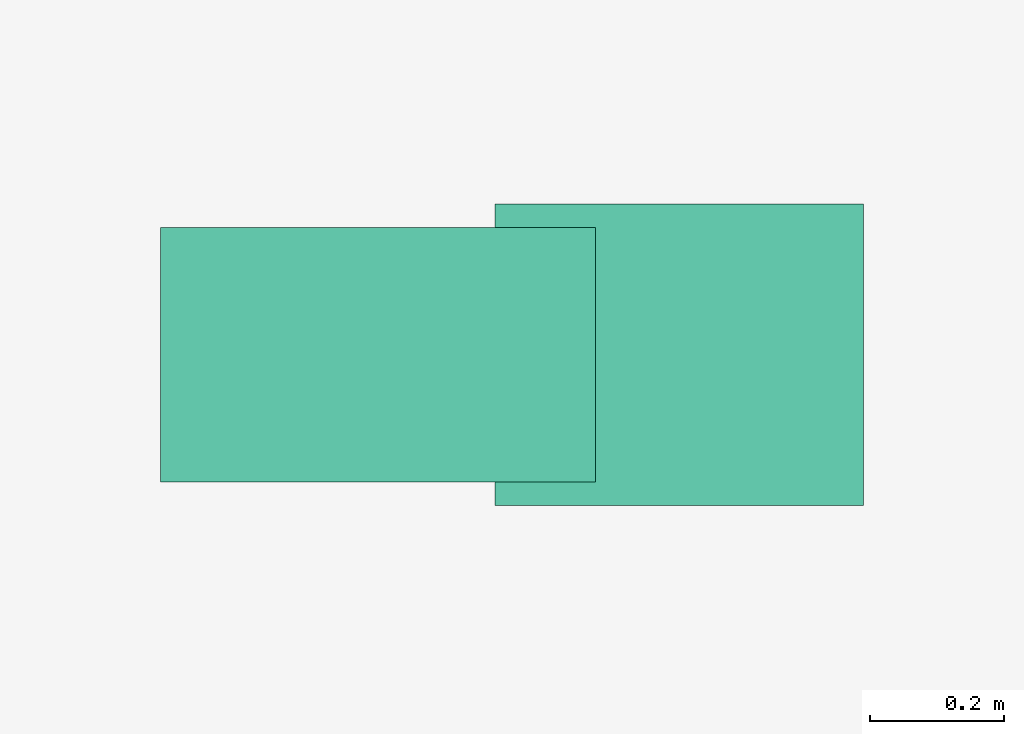
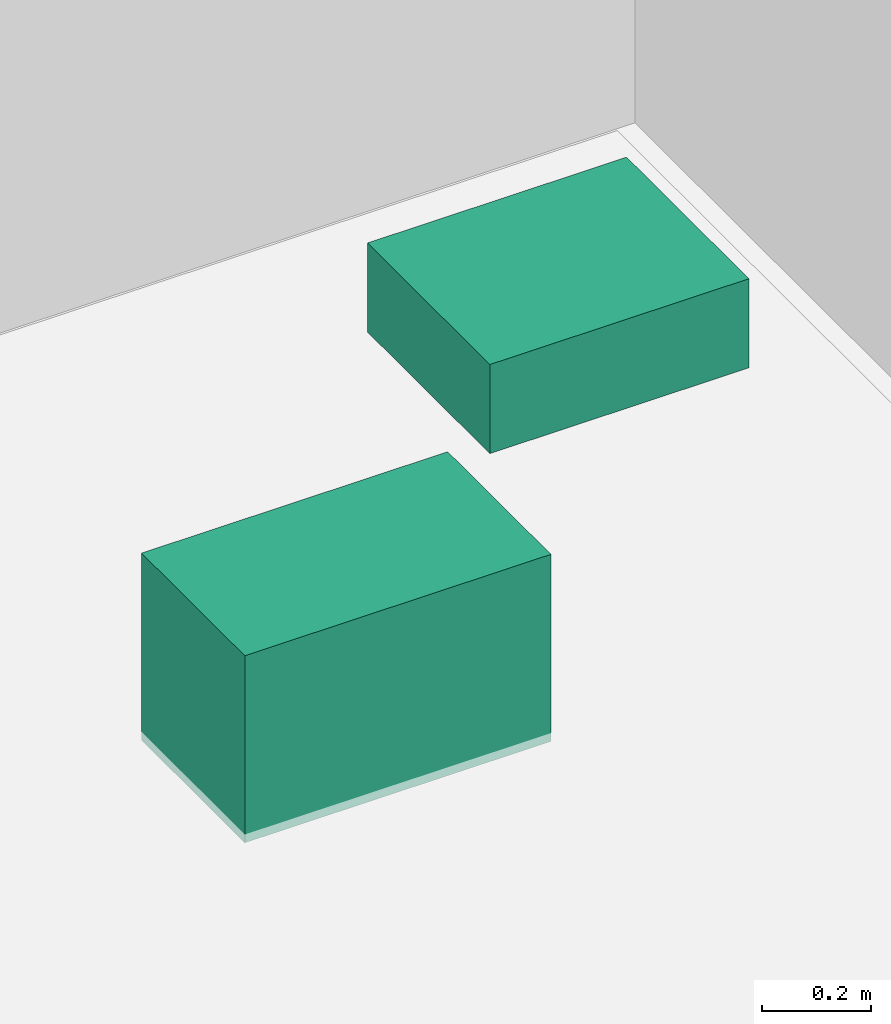
# One storey, part 11 of 12: 2 sanitary terminals.
"""IFC4 building model written with IfcOpenShell, lengths in metres."""

from ifc_helpers import new_model, si_unit, direction, frame, origin, origin_2d, place, context, subcontext, project, spatial, rectangle, extrude, material, type_object, element, save


model = new_model("IFC4")

# Units and contexts
model_context = context("Model", 3, precision=1e-05, world=origin(), true_north=direction((0.0, 1.0)))
body_context = subcontext(model_context, "Body", "Model", "MODEL_VIEW")
ifc_project = project(units=[si_unit("LENGTHUNIT", "METRE"), si_unit("AREAUNIT", "SQUARE_METRE"), si_unit("VOLUMEUNIT", "CUBIC_METRE"), si_unit("PLANEANGLEUNIT", "RADIAN"), si_unit("MASSUNIT", "GRAM", prefix="KILO")], contexts=[model_context])

# Site, building, storey
site_placement = place(None, origin())
site = spatial("IfcSite", under=ifc_project, at=site_placement, CompositionType="ELEMENT")
building_placement = place(site_placement, origin())
building = spatial("IfcBuilding", under=site, at=building_placement, Name="Savorim Split Tower", CompositionType="ELEMENT")
storey_placement = place(building_placement, frame((0.0, 0.0, -5.39990234375)))
storey = spatial("IfcBuildingStorey", under=building, at=storey_placement, Name="B01", CompositionType="ELEMENT", Elevation=-5.39990234375)

# Sanitary terminals
ifc_material = material(Name="Vitreous China Sanitaryware")
sanitary_terminal_type_1 = type_object("IfcSanitaryTerminalType", Name="SAN-WC-PAN", PredefinedType="TOILETPAN", material=ifc_material)
sanitary_terminal_1_placement = place(storey_placement, frame((-2.77490234375, -7.60009765625, 0.0), z_axis=(0.0, 0.0, 1.0), x_axis=(1.0, 0.0, 0.0)))
element("IfcSanitaryTerminal", 1, at=sanitary_terminal_1_placement, inside=storey, type_object=sanitary_terminal_type_1, Name="B01 Accessible WC WC Pan", PredefinedType="TOILETPAN", context=body_context, shape_type="SweptSolid", body=[
    extrude(rectangle(XDim=0.64990234375, YDim=0.3798828125, at=origin_2d()), origin(), (0.0, 0.0, 1.0), 0.419921875),
])
sanitary_terminal_type_2 = type_object("IfcSanitaryTerminalType", Name="SAN-WHB-550", PredefinedType="WASHHANDBASIN", material=ifc_material)
sanitary_terminal_2_placement = place(storey_placement, frame((-2.324951171875, -7.60009765625, 0.7197265625), z_axis=(0.0, 0.0, 1.0), x_axis=(1.0, 0.0, 0.0)))
element("IfcSanitaryTerminal", 2, at=sanitary_terminal_2_placement, inside=storey, type_object=sanitary_terminal_type_2, Name="B01 Accessible WC Washhand Basin", PredefinedType="WASHHANDBASIN", context=body_context, shape_type="SweptSolid", body=[
    extrude(rectangle(XDim=0.550048828125, YDim=0.449951171875, at=origin_2d()), origin(), (0.0, 0.0, 1.0), 0.199951171875),
])

save(model, "model.ifc")
